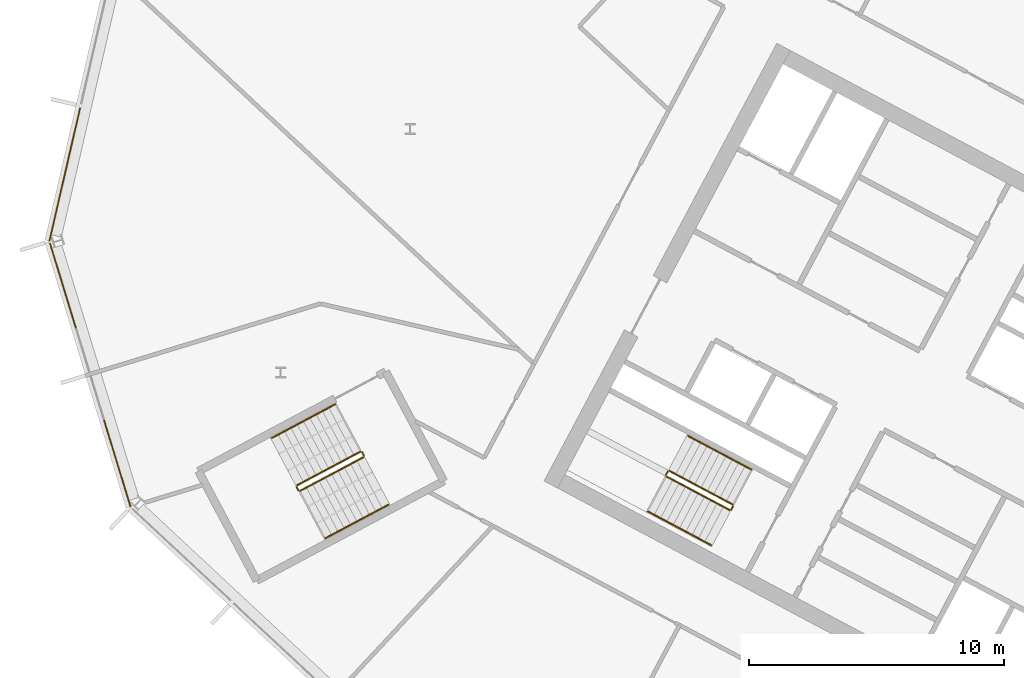
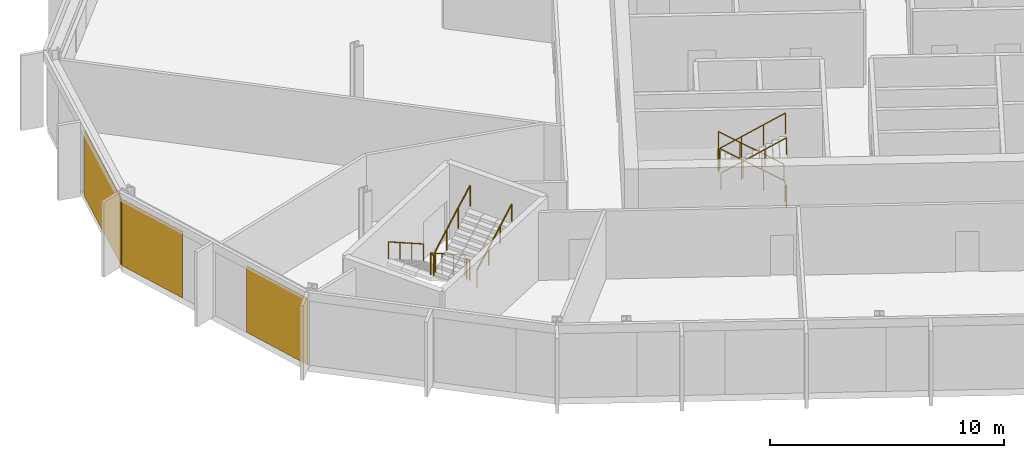
# One storey, part 21 of 27: 12 railings, 3 coverings, 2 elements without a shape of their own.
"""IFC4 building model written with IfcOpenShell, lengths in metres."""

from ifc_helpers import new_model, si_unit, direction, frame, origin, origin_2d, place, context, subcontext, project, spatial, polyline, rectangle, outline, extrude, material, layer, layer_set, type_object, element, aggregate, save


model = new_model("IFC4")

# Units and contexts
model_context = context("Model", 3, precision=1e-05, world=origin(), true_north=direction((0.0, 1.0)))
body_context = subcontext(model_context, "Body", "Model", "MODEL_VIEW")
ifc_project = project(units=[si_unit("LENGTHUNIT", "METRE"), si_unit("AREAUNIT", "SQUARE_METRE"), si_unit("VOLUMEUNIT", "CUBIC_METRE"), si_unit("PLANEANGLEUNIT", "RADIAN"), si_unit("MASSUNIT", "GRAM", prefix="KILO")], contexts=[model_context])

# Site, building, storey
site_placement = place(None, origin())
site = spatial("IfcSite", under=ifc_project, at=site_placement, CompositionType="ELEMENT")
building_placement = place(site_placement, origin())
building = spatial("IfcBuilding", under=site, at=building_placement, Name="Cormorant Relay Tower", CompositionType="ELEMENT")
storey_placement = place(building_placement, frame((0.0, 0.0, 232.5)))
storey = spatial("IfcBuildingStorey", under=building, at=storey_placement, Name="L51", CompositionType="ELEMENT", Elevation=232.5)

# Curtain wall, covering
ifc_material_1 = material(Name="Aluminium 6063-T6 anodised bronze", Category="aluminium")
ifc_layer_1 = layer(ifc_material_1, 0.199951171875)
ifc_layer_set_1 = layer_set([ifc_layer_1], Name="CW1 unitised bronze curtain wall with vertical fins")
curtain_wall_type = type_object("IfcCurtainWallType", Name="CW1 unitised bronze curtain wall with vertical fins", PredefinedType="NOTDEFINED", material=ifc_layer_set_1)
curtain_wall_1_placement = place(storey_placement, origin())
curtain_wall_1 = element("IfcCurtainWall", 1, at=curtain_wall_1_placement, inside=storey, type_object=curtain_wall_type, Name="CW1 curtain wall 13", PredefinedType="NOTDEFINED")
ifc_material_2 = material(Name="Pale bronze anodised aluminium insulated panel", Category="aluminium")
ifc_layer_2 = layer(ifc_material_2, 0.0400390625)
ifc_layer_set_2 = layer_set([ifc_layer_2], Name="CW1 pale bronze insulated panel 40")
covering_type = type_object("IfcCoveringType", Name="CW1 pale bronze insulated panel 40", PredefinedType="CLADDING", material=ifc_layer_set_2)
covering_1_placement = place(storey_placement, frame((-60.136474609375, 23.00927734375, 0.0), z_axis=(0.0, 0.0, 1.0), x_axis=(-0.224951054344, -0.974370064785, 0.0)))
covering_1 = element("IfcCovering", 2, at=covering_1_placement, type_object=covering_type, Name="CW1 panel S02", PredefinedType="CLADDING", context=body_context, shape_type="SweptSolid", body=[
    extrude(rectangle(XDim=5.360107421875, YDim=0.0400390625, at=origin_2d()), origin(), (0.0, 0.0, 1.0), 3.449951171875),
])
aggregate(curtain_wall_1, [covering_1])

# Curtain wall, coverings
curtain_wall_2_placement = place(storey_placement, origin())
curtain_wall_2 = element("IfcCurtainWall", 3, at=curtain_wall_2_placement, inside=storey, type_object=curtain_wall_type, Name="CW1 curtain wall 14", PredefinedType="NOTDEFINED")
covering_2_placement = place(storey_placement, frame((-60.20751953125, 18.6494140625, 0.0), z_axis=(0.0, 0.0, 1.0), x_axis=(0.292371704723, -0.956304755963, 0.0)))
covering_2 = element("IfcCovering", 4, at=covering_2_placement, type_object=covering_type, Name="CW1 panel S00", PredefinedType="CLADDING", context=body_context, shape_type="SweptSolid", body=[
    extrude(rectangle(XDim=3.485107421875, YDim=0.0400390625, at=origin_2d()), origin(), (0.0, 0.0, 1.0), 3.449951171875),
])
covering_3_placement = place(storey_placement, frame((-58.081298828125, 11.6943359375, 0.0), z_axis=(0.0, 0.0, 1.0), x_axis=(0.292371704723, -0.956304755963, 0.0)))
covering_3 = element("IfcCovering", 5, at=covering_3_placement, type_object=covering_type, Name="CW1 panel S03", PredefinedType="CLADDING", context=body_context, shape_type="SweptSolid", body=[
    extrude(rectangle(XDim=3.560302734375, YDim=0.0400390625, at=origin_2d()), origin(), (0.0, 0.0, 1.0), 3.449951171875),
])
aggregate(curtain_wall_2, [covering_2, covering_3])

# Railings
ifc_material_3 = material(Name="Steel ASTM A572 Grade 50 (Fy 345 MPa)", Category="steel")
railing_type_1 = type_object("IfcRailingType", Name="Stair guard 1100", PredefinedType="GUARDRAIL", material=ifc_material_3)
railing_1_placement = place(storey_placement, frame((-33.9921875, 10.08935546875, 0.17724609375)))
element("IfcRailing", 6, at=railing_1_placement, inside=storey, type_object=railing_type_1, Name="L51 A2 stair guard 1", PredefinedType="GUARDRAIL", context=body_context, shape_type="SweptSolid", body=[
    extrude(outline(polyline([(0.022216796875, 0.00927734375), (0.00927734375, 0.022216796875), (-0.00927734375, 0.022216796875), (-0.022216796875, 0.00927734375), (-0.022216796875, -0.00927734375), (-0.00927734375, -0.022216796875), (0.00927734375, -0.022216796875), (0.022216796875, -0.00927734375), (0.022216796875, 0.00927734375)])), frame((0.0, 0.0, 1.076171875), z_axis=(-0.746001213114, 0.396649272309, 0.534931345884), x_axis=(-0.469465464807, -0.882950835185, 0.0)), (0.0, 0.0, 1.0), 3.31396484375),
    extrude(outline(polyline([(0.019287109375, 0.008056640625), (0.008056640625, 0.019287109375), (-0.008056640625, 0.019287109375), (-0.019287109375, 0.008056640625), (-0.019287109375, -0.008056640625), (-0.008056640625, -0.019287109375), (0.008056640625, -0.019287109375), (0.019287109375, -0.008056640625), (0.019287109375, 0.008056640625)])), origin(), (0.0, 0.0, 1.0), 1.052001953125),
    extrude(outline(polyline([(0.019287109375, 0.008056640625), (0.008056640625, 0.019287109375), (-0.008056640625, 0.019287109375), (-0.019287109375, 0.008056640625), (-0.019287109375, -0.008056640625), (-0.008056640625, -0.019287109375), (0.008056640625, -0.019287109375), (0.019287109375, -0.008056640625), (0.019287109375, 0.008056640625)])), frame((-0.823974609375, 0.438232421875, 0.5908203125)), (0.0, 0.0, 1.0), 1.052001953125),
    extrude(outline(polyline([(0.019287109375, 0.008056640625), (0.008056640625, 0.019287109375), (-0.008056640625, 0.019287109375), (-0.019287109375, 0.008056640625), (-0.019287109375, -0.008056640625), (-0.008056640625, -0.019287109375), (0.008056640625, -0.019287109375), (0.019287109375, -0.008056640625), (0.019287109375, 0.008056640625)])), frame((-1.648193359375, 0.876220703125, 1.181884765625)), (0.0, 0.0, 1.0), 1.052001953125),
    extrude(outline(polyline([(0.019287109375, 0.008056640625), (0.008056640625, 0.019287109375), (-0.008056640625, 0.019287109375), (-0.019287109375, 0.008056640625), (-0.019287109375, -0.008056640625), (-0.008056640625, -0.019287109375), (0.008056640625, -0.019287109375), (0.019287109375, -0.008056640625), (0.019287109375, 0.008056640625)])), frame((-2.47216796875, 1.314453125, 1.772705078125)), (0.0, 0.0, 1.0), 1.052001953125),
])
railing_2_placement = place(storey_placement, frame((-36.531982421875, 11.38330078125, 1.949951171875)))
element("IfcRailing", 7, at=railing_2_placement, inside=storey, type_object=railing_type_1, Name="L51 A2 stair guard 2", PredefinedType="GUARDRAIL", context=body_context, shape_type="SweptSolid", body=[
    extrude(outline(polyline([(0.022216796875, 0.00927734375), (0.00927734375, 0.022216796875), (-0.00927734375, 0.022216796875), (-0.022216796875, 0.00927734375), (-0.022216796875, -0.00927734375), (-0.00927734375, -0.022216796875), (0.00927734375, -0.022216796875), (0.022216796875, -0.00927734375), (0.022216796875, 0.00927734375)])), frame((0.0, 0.0, 1.076171875), z_axis=(-0.469828648786, -0.882757634224, 0.0), x_axis=(0.882757634224, -0.469828648786, 0.0)), (0.0, 0.0, 1.0), 0.150146484375),
    extrude(outline(polyline([(0.019287109375, 0.008056640625), (0.008056640625, 0.019287109375), (-0.008056640625, 0.019287109375), (-0.019287109375, 0.008056640625), (-0.019287109375, -0.008056640625), (-0.008056640625, -0.019287109375), (0.008056640625, -0.019287109375), (0.019287109375, -0.008056640625), (0.019287109375, 0.008056640625)])), origin(), (0.0, 0.0, 1.0), 1.052001953125),
    extrude(outline(polyline([(0.019287109375, 0.008056640625), (0.008056640625, 0.019287109375), (-0.008056640625, 0.019287109375), (-0.019287109375, 0.008056640625), (-0.019287109375, -0.008056640625), (-0.008056640625, -0.019287109375), (0.008056640625, -0.019287109375), (0.019287109375, -0.008056640625), (0.019287109375, 0.008056640625)])), frame((-0.070556640625, -0.132568359375, 0.0)), (0.0, 0.0, 1.0), 1.052001953125),
])
railing_3_placement = place(storey_placement, frame((-36.581787109375, 11.18310546875, 2.127197265625)))
element("IfcRailing", 8, at=railing_3_placement, inside=storey, type_object=railing_type_1, Name="L51 A2 stair guard 3", PredefinedType="GUARDRAIL", context=body_context, shape_type="SweptSolid", body=[
    extrude(outline(polyline([(0.022216796875, 0.00927734375), (0.00927734375, 0.022216796875), (-0.00927734375, 0.022216796875), (-0.022216796875, 0.00927734375), (-0.022216796875, -0.00927734375), (-0.00927734375, -0.022216796875), (0.00927734375, -0.022216796875), (0.022216796875, -0.00927734375), (0.022216796875, 0.00927734375)])), frame((0.0, 0.0, 1.076171875), z_axis=(0.746001213114, -0.396649272309, 0.534931345884), x_axis=(0.469465464807, 0.882950835185, 0.0)), (0.0, 0.0, 1.0), 3.31396484375),
    extrude(outline(polyline([(0.019287109375, 0.008056640625), (0.008056640625, 0.019287109375), (-0.008056640625, 0.019287109375), (-0.019287109375, 0.008056640625), (-0.019287109375, -0.008056640625), (-0.008056640625, -0.019287109375), (0.008056640625, -0.019287109375), (0.019287109375, -0.008056640625), (0.019287109375, 0.008056640625)])), origin(), (0.0, 0.0, 1.0), 1.052001953125),
    extrude(outline(polyline([(0.019287109375, 0.008056640625), (0.008056640625, 0.019287109375), (-0.008056640625, 0.019287109375), (-0.019287109375, 0.008056640625), (-0.019287109375, -0.008056640625), (-0.008056640625, -0.019287109375), (0.008056640625, -0.019287109375), (0.019287109375, -0.008056640625), (0.019287109375, 0.008056640625)])), frame((0.823974609375, -0.438232421875, 0.5908203125)), (0.0, 0.0, 1.0), 1.052001953125),
    extrude(outline(polyline([(0.019287109375, 0.008056640625), (0.008056640625, 0.019287109375), (-0.008056640625, 0.019287109375), (-0.019287109375, 0.008056640625), (-0.019287109375, -0.008056640625), (-0.008056640625, -0.019287109375), (0.008056640625, -0.019287109375), (0.019287109375, -0.008056640625), (0.019287109375, 0.008056640625)])), frame((1.648193359375, -0.876220703125, 1.181884765625)), (0.0, 0.0, 1.0), 1.052001953125),
    extrude(outline(polyline([(0.019287109375, 0.008056640625), (0.008056640625, 0.019287109375), (-0.008056640625, 0.019287109375), (-0.019287109375, 0.008056640625), (-0.019287109375, -0.008056640625), (-0.008056640625, -0.019287109375), (0.008056640625, -0.019287109375), (0.019287109375, -0.008056640625), (0.019287109375, 0.008056640625)])), frame((2.47216796875, -1.314453125, 1.772705078125)), (0.0, 0.0, 1.0), 1.052001953125),
])
railing_4_placement = place(storey_placement, frame((-33.971435546875, 10.021728515625, 0.0)))
element("IfcRailing", 9, at=railing_4_placement, inside=storey, type_object=railing_type_1, Name="L51 A2 stair guard 4", PredefinedType="GUARDRAIL", context=body_context, shape_type="SweptSolid", body=[
    extrude(outline(polyline([(0.022216796875, 0.00927734375), (0.00927734375, 0.022216796875), (-0.00927734375, 0.022216796875), (-0.022216796875, 0.00927734375), (-0.022216796875, -0.00927734375), (-0.00927734375, -0.022216796875), (0.00927734375, -0.022216796875), (0.022216796875, -0.00927734375), (0.022216796875, 0.00927734375)])), frame((0.0, 0.0, 1.076171875), z_axis=(-0.470503732759, -0.882398003998, 0.0), x_axis=(0.882398003998, -0.470503732759, 0.0)), (0.0, 0.0, 1.0), 0.14990234375),
    extrude(outline(polyline([(0.019287109375, 0.008056640625), (0.008056640625, 0.019287109375), (-0.008056640625, 0.019287109375), (-0.019287109375, 0.008056640625), (-0.019287109375, -0.008056640625), (-0.008056640625, -0.019287109375), (0.008056640625, -0.019287109375), (0.019287109375, -0.008056640625), (0.019287109375, 0.008056640625)])), origin(), (0.0, 0.0, 1.0), 1.052001953125),
    extrude(outline(polyline([(0.019287109375, 0.008056640625), (0.008056640625, 0.019287109375), (-0.008056640625, 0.019287109375), (-0.019287109375, 0.008056640625), (-0.019287109375, -0.008056640625), (-0.008056640625, -0.019287109375), (0.008056640625, -0.019287109375), (0.019287109375, -0.008056640625), (0.019287109375, 0.008056640625)])), frame((-0.070556640625, -0.13232421875, 0.0)), (0.0, 0.0, 1.0), 1.052001953125),
])
railing_5_placement = place(storey_placement, frame((-48.5693359375, 12.155517578125, 0.17724609375)))
element("IfcRailing", 10, at=railing_5_placement, inside=storey, type_object=railing_type_1, Name="L51 RP1 stair guard 1", PredefinedType="GUARDRAIL", context=body_context, shape_type="SweptSolid", body=[
    extrude(outline(polyline([(0.022216796875, 0.00927734375), (0.00927734375, 0.022216796875), (-0.00927734375, 0.022216796875), (-0.022216796875, 0.00927734375), (-0.022216796875, -0.00927734375), (-0.00927734375, -0.022216796875), (0.00927734375, -0.022216796875), (0.022216796875, -0.00927734375), (0.022216796875, 0.00927734375)])), frame((0.0, 0.0, 1.076171875), z_axis=(-0.746012083385, -0.396689549623, 0.534886317514), x_axis=(0.469497295046, -0.882933910293, 0.0)), (0.0, 0.0, 1.0), 3.314208984375),
    extrude(outline(polyline([(0.019287109375, 0.008056640625), (0.008056640625, 0.019287109375), (-0.008056640625, 0.019287109375), (-0.019287109375, 0.008056640625), (-0.019287109375, -0.008056640625), (-0.008056640625, -0.019287109375), (0.008056640625, -0.019287109375), (0.019287109375, -0.008056640625), (0.019287109375, 0.008056640625)])), origin(), (0.0, 0.0, 1.0), 1.052001953125),
    extrude(outline(polyline([(0.019287109375, 0.008056640625), (0.008056640625, 0.019287109375), (-0.008056640625, 0.019287109375), (-0.019287109375, 0.008056640625), (-0.019287109375, -0.008056640625), (-0.008056640625, -0.019287109375), (0.008056640625, -0.019287109375), (0.019287109375, -0.008056640625), (0.019287109375, 0.008056640625)])), frame((-0.82421875, -0.438232421875, 0.5908203125)), (0.0, 0.0, 1.0), 1.052001953125),
    extrude(outline(polyline([(0.019287109375, 0.008056640625), (0.008056640625, 0.019287109375), (-0.008056640625, 0.019287109375), (-0.019287109375, 0.008056640625), (-0.019287109375, -0.008056640625), (-0.008056640625, -0.019287109375), (0.008056640625, -0.019287109375), (0.019287109375, -0.008056640625), (0.019287109375, 0.008056640625)])), frame((-1.648193359375, -0.87646484375, 1.181884765625)), (0.0, 0.0, 1.0), 1.052001953125),
    extrude(outline(polyline([(0.019287109375, 0.008056640625), (0.008056640625, 0.019287109375), (-0.008056640625, 0.019287109375), (-0.019287109375, 0.008056640625), (-0.019287109375, -0.008056640625), (-0.008056640625, -0.019287109375), (0.008056640625, -0.019287109375), (0.019287109375, -0.008056640625), (0.019287109375, 0.008056640625)])), frame((-2.472412109375, -1.314697265625, 1.772705078125)), (0.0, 0.0, 1.0), 1.052001953125),
])
railing_6_placement = place(storey_placement, frame((-51.062255859375, 10.773193359375, 1.949951171875)))
element("IfcRailing", 11, at=railing_6_placement, inside=storey, type_object=railing_type_1, Name="L51 RP1 stair guard 2", PredefinedType="GUARDRAIL", context=body_context, shape_type="SweptSolid", body=[
    extrude(outline(polyline([(0.022216796875, 0.00927734375), (0.00927734375, 0.022216796875), (-0.00927734375, 0.022216796875), (-0.022216796875, 0.00927734375), (-0.022216796875, -0.00927734375), (-0.00927734375, -0.022216796875), (0.00927734375, -0.022216796875), (0.022216796875, -0.00927734375), (0.022216796875, 0.00927734375)])), frame((0.0, 0.0, 1.076171875), z_axis=(0.469234640946, -0.883073525669, 0.0), x_axis=(0.883073525669, 0.469234640946, 0.0)), (0.0, 0.0, 1.0), 0.14990234375),
    extrude(outline(polyline([(0.019287109375, 0.008056640625), (0.008056640625, 0.019287109375), (-0.008056640625, 0.019287109375), (-0.019287109375, 0.008056640625), (-0.019287109375, -0.008056640625), (-0.008056640625, -0.019287109375), (0.008056640625, -0.019287109375), (0.019287109375, -0.008056640625), (0.019287109375, 0.008056640625)])), origin(), (0.0, 0.0, 1.0), 1.052001953125),
    extrude(outline(polyline([(0.019287109375, 0.008056640625), (0.008056640625, 0.019287109375), (-0.008056640625, 0.019287109375), (-0.019287109375, 0.008056640625), (-0.019287109375, -0.008056640625), (-0.008056640625, -0.019287109375), (0.008056640625, -0.019287109375), (0.019287109375, -0.008056640625), (0.019287109375, 0.008056640625)])), frame((0.0703125, -0.13232421875, 0.0)), (0.0, 0.0, 1.0), 1.052001953125),
])
railing_7_placement = place(storey_placement, frame((-50.92431640625, 10.6201171875, 2.127197265625)))
element("IfcRailing", 12, at=railing_7_placement, inside=storey, type_object=railing_type_1, Name="L51 RP1 stair guard 3", PredefinedType="GUARDRAIL", context=body_context, shape_type="SweptSolid", body=[
    extrude(outline(polyline([(0.022216796875, 0.00927734375), (0.00927734375, 0.022216796875), (-0.00927734375, 0.022216796875), (-0.022216796875, 0.00927734375), (-0.022216796875, -0.00927734375), (-0.00927734375, -0.022216796875), (0.00927734375, -0.022216796875), (0.022216796875, -0.00927734375), (0.022216796875, 0.00927734375)])), frame((0.0, 0.0, 1.076171875), z_axis=(0.746033882577, 0.396627473466, 0.534901947407), x_axis=(-0.469429322983, 0.882970050864, 0.0)), (0.0, 0.0, 1.0), 3.31396484375),
    extrude(outline(polyline([(0.019287109375, 0.008056640625), (0.008056640625, 0.019287109375), (-0.008056640625, 0.019287109375), (-0.019287109375, 0.008056640625), (-0.019287109375, -0.008056640625), (-0.008056640625, -0.019287109375), (0.008056640625, -0.019287109375), (0.019287109375, -0.008056640625), (0.019287109375, 0.008056640625)])), origin(), (0.0, 0.0, 1.0), 1.052001953125),
    extrude(outline(polyline([(0.019287109375, 0.008056640625), (0.008056640625, 0.019287109375), (-0.008056640625, 0.019287109375), (-0.019287109375, 0.008056640625), (-0.019287109375, -0.008056640625), (-0.008056640625, -0.019287109375), (0.008056640625, -0.019287109375), (0.019287109375, -0.008056640625), (0.019287109375, 0.008056640625)])), frame((0.82421875, 0.438232421875, 0.5908203125)), (0.0, 0.0, 1.0), 1.052001953125),
    extrude(outline(polyline([(0.019287109375, 0.008056640625), (0.008056640625, 0.019287109375), (-0.008056640625, 0.019287109375), (-0.019287109375, 0.008056640625), (-0.019287109375, -0.008056640625), (-0.008056640625, -0.019287109375), (0.008056640625, -0.019287109375), (0.019287109375, -0.008056640625), (0.019287109375, 0.008056640625)])), frame((1.648193359375, 0.876220703125, 1.181884765625)), (0.0, 0.0, 1.0), 1.052001953125),
    extrude(outline(polyline([(0.019287109375, 0.008056640625), (0.008056640625, 0.019287109375), (-0.008056640625, 0.019287109375), (-0.019287109375, 0.008056640625), (-0.019287109375, -0.008056640625), (-0.008056640625, -0.019287109375), (0.008056640625, -0.019287109375), (0.019287109375, -0.008056640625), (0.019287109375, 0.008056640625)])), frame((2.472412109375, 1.314453125, 1.772705078125)), (0.0, 0.0, 1.0), 1.052001953125),
])
railing_8_placement = place(storey_placement, frame((-48.501708984375, 12.134765625, 0.0)))
element("IfcRailing", 13, at=railing_8_placement, inside=storey, type_object=railing_type_1, Name="L51 RP1 stair guard 4", PredefinedType="GUARDRAIL", context=body_context, shape_type="SweptSolid", body=[
    extrude(outline(polyline([(0.022216796875, 0.00927734375), (0.00927734375, 0.022216796875), (-0.00927734375, 0.022216796875), (-0.022216796875, 0.00927734375), (-0.022216796875, -0.00927734375), (-0.00927734375, -0.022216796875), (0.00927734375, -0.022216796875), (0.022216796875, -0.00927734375), (0.022216796875, 0.00927734375)])), frame((0.0, 0.0, 1.076171875), z_axis=(0.46856034887, -0.8834314911, 0.0), x_axis=(0.8834314911, 0.46856034887, 0.0)), (0.0, 0.0, 1.0), 0.150146484375),
    extrude(outline(polyline([(0.019287109375, 0.008056640625), (0.008056640625, 0.019287109375), (-0.008056640625, 0.019287109375), (-0.019287109375, 0.008056640625), (-0.019287109375, -0.008056640625), (-0.008056640625, -0.019287109375), (0.008056640625, -0.019287109375), (0.019287109375, -0.008056640625), (0.019287109375, 0.008056640625)])), origin(), (0.0, 0.0, 1.0), 1.052001953125),
    extrude(outline(polyline([(0.019287109375, 0.008056640625), (0.008056640625, 0.019287109375), (-0.008056640625, 0.019287109375), (-0.019287109375, 0.008056640625), (-0.019287109375, -0.008056640625), (-0.008056640625, -0.019287109375), (0.008056640625, -0.019287109375), (0.019287109375, -0.008056640625), (0.019287109375, 0.008056640625)])), frame((0.0703125, -0.132568359375, 0.0)), (0.0, 0.0, 1.0), 1.052001953125),
])
ifc_material_4 = material(Name="Steel ASTM A572 Grade 50 (Fy 345 MPa)", Category="steel")
railing_type_2 = type_object("IfcRailingType", Name="Stair handrail 900", PredefinedType="HANDRAIL", material=ifc_material_4)
railing_9_placement = place(storey_placement, frame((-33.264404296875, 11.4580078125, 0.17724609375)))
element("IfcRailing", 14, at=railing_9_placement, inside=storey, type_object=railing_type_2, Name="L51 A2 stair handrail 1", PredefinedType="HANDRAIL", context=body_context, shape_type="SweptSolid", body=[
    extrude(outline(polyline([(0.022216796875, 0.00927734375), (0.00927734375, 0.022216796875), (-0.00927734375, 0.022216796875), (-0.022216796875, 0.00927734375), (-0.022216796875, -0.00927734375), (-0.00927734375, -0.022216796875), (0.00927734375, -0.022216796875), (0.022216796875, -0.00927734375), (0.022216796875, 0.00927734375)])), frame((0.0, 0.0, 0.8759765625), z_axis=(-0.746033882577, 0.396627473466, 0.534901947407), x_axis=(-0.469429322983, -0.882970050864, 0.0)), (0.0, 0.0, 1.0), 3.31396484375),
    extrude(outline(polyline([(0.019287109375, 0.008056640625), (0.008056640625, 0.019287109375), (-0.008056640625, 0.019287109375), (-0.019287109375, 0.008056640625), (-0.019287109375, -0.008056640625), (-0.008056640625, -0.019287109375), (0.008056640625, -0.019287109375), (0.019287109375, -0.008056640625), (0.019287109375, 0.008056640625)])), origin(), (0.0, 0.0, 1.0), 0.851806640625),
    extrude(outline(polyline([(0.019287109375, 0.008056640625), (0.008056640625, 0.019287109375), (-0.008056640625, 0.019287109375), (-0.019287109375, 0.008056640625), (-0.019287109375, -0.008056640625), (-0.008056640625, -0.019287109375), (0.008056640625, -0.019287109375), (0.019287109375, -0.008056640625), (0.019287109375, 0.008056640625)])), frame((-0.82421875, 0.438232421875, 0.5908203125)), (0.0, 0.0, 1.0), 0.851806640625),
    extrude(outline(polyline([(0.019287109375, 0.008056640625), (0.008056640625, 0.019287109375), (-0.008056640625, 0.019287109375), (-0.019287109375, 0.008056640625), (-0.019287109375, -0.008056640625), (-0.008056640625, -0.019287109375), (0.008056640625, -0.019287109375), (0.019287109375, -0.008056640625), (0.019287109375, 0.008056640625)])), frame((-1.648193359375, 0.876220703125, 1.181884765625)), (0.0, 0.0, 1.0), 0.851806640625),
    extrude(outline(polyline([(0.019287109375, 0.008056640625), (0.008056640625, 0.019287109375), (-0.008056640625, 0.019287109375), (-0.019287109375, 0.008056640625), (-0.019287109375, -0.008056640625), (-0.008056640625, -0.019287109375), (0.008056640625, -0.019287109375), (0.019287109375, -0.008056640625), (0.019287109375, 0.008056640625)])), frame((-2.472412109375, 1.314453125, 1.772705078125)), (0.0, 0.0, 1.0), 0.851806640625),
])
railing_10_placement = place(storey_placement, frame((-37.3095703125, 9.814453125, 2.127197265625)))
element("IfcRailing", 15, at=railing_10_placement, inside=storey, type_object=railing_type_2, Name="L51 A2 stair handrail 2", PredefinedType="HANDRAIL", context=body_context, shape_type="SweptSolid", body=[
    extrude(outline(polyline([(0.022216796875, 0.00927734375), (0.00927734375, 0.022216796875), (-0.00927734375, 0.022216796875), (-0.022216796875, 0.00927734375), (-0.022216796875, -0.00927734375), (-0.00927734375, -0.022216796875), (0.00927734375, -0.022216796875), (0.022216796875, -0.00927734375), (0.022216796875, 0.00927734375)])), frame((0.0, 0.0, 0.8759765625), z_axis=(0.746033882577, -0.396627473466, 0.534901947407), x_axis=(0.469429322983, 0.882970050864, 0.0)), (0.0, 0.0, 1.0), 3.31396484375),
    extrude(outline(polyline([(0.019287109375, 0.008056640625), (0.008056640625, 0.019287109375), (-0.008056640625, 0.019287109375), (-0.019287109375, 0.008056640625), (-0.019287109375, -0.008056640625), (-0.008056640625, -0.019287109375), (0.008056640625, -0.019287109375), (0.019287109375, -0.008056640625), (0.019287109375, 0.008056640625)])), origin(), (0.0, 0.0, 1.0), 0.851806640625),
    extrude(outline(polyline([(0.019287109375, 0.008056640625), (0.008056640625, 0.019287109375), (-0.008056640625, 0.019287109375), (-0.019287109375, 0.008056640625), (-0.019287109375, -0.008056640625), (-0.008056640625, -0.019287109375), (0.008056640625, -0.019287109375), (0.019287109375, -0.008056640625), (0.019287109375, 0.008056640625)])), frame((0.82421875, -0.438232421875, 0.5908203125)), (0.0, 0.0, 1.0), 0.851806640625),
    extrude(outline(polyline([(0.019287109375, 0.008056640625), (0.008056640625, 0.019287109375), (-0.008056640625, 0.019287109375), (-0.019287109375, 0.008056640625), (-0.019287109375, -0.008056640625), (-0.008056640625, -0.019287109375), (0.008056640625, -0.019287109375), (0.019287109375, -0.008056640625), (0.019287109375, 0.008056640625)])), frame((1.648193359375, -0.876220703125, 1.181884765625)), (0.0, 0.0, 1.0), 0.851806640625),
    extrude(outline(polyline([(0.019287109375, 0.008056640625), (0.008056640625, 0.019287109375), (-0.008056640625, 0.019287109375), (-0.019287109375, 0.008056640625), (-0.019287109375, -0.008056640625), (-0.008056640625, -0.019287109375), (0.008056640625, -0.019287109375), (0.019287109375, -0.008056640625), (0.019287109375, 0.008056640625)])), frame((2.472412109375, -1.314453125, 1.772705078125)), (0.0, 0.0, 1.0), 0.851806640625),
])
railing_11_placement = place(storey_placement, frame((-49.55517578125, 14.009521484375, 0.17724609375)))
element("IfcRailing", 16, at=railing_11_placement, inside=storey, type_object=railing_type_2, Name="L51 RP1 stair handrail 1", PredefinedType="HANDRAIL", context=body_context, shape_type="SweptSolid", body=[
    extrude(outline(polyline([(0.022216796875, 0.00927734375), (0.00927734375, 0.022216796875), (-0.00927734375, 0.022216796875), (-0.022216796875, 0.00927734375), (-0.022216796875, -0.00927734375), (-0.00927734375, -0.022216796875), (0.00927734375, -0.022216796875), (0.022216796875, -0.00927734375), (0.022216796875, 0.00927734375)])), frame((0.0, 0.0, 0.8759765625), z_axis=(-0.746033882577, -0.396627473466, 0.534901947407), x_axis=(0.469429322983, -0.882970050864, 0.0)), (0.0, 0.0, 1.0), 3.31396484375),
    extrude(outline(polyline([(0.019287109375, 0.008056640625), (0.008056640625, 0.019287109375), (-0.008056640625, 0.019287109375), (-0.019287109375, 0.008056640625), (-0.019287109375, -0.008056640625), (-0.008056640625, -0.019287109375), (0.008056640625, -0.019287109375), (0.019287109375, -0.008056640625), (0.019287109375, 0.008056640625)])), origin(), (0.0, 0.0, 1.0), 0.851806640625),
    extrude(outline(polyline([(0.019287109375, 0.008056640625), (0.008056640625, 0.019287109375), (-0.008056640625, 0.019287109375), (-0.019287109375, 0.008056640625), (-0.019287109375, -0.008056640625), (-0.008056640625, -0.019287109375), (0.008056640625, -0.019287109375), (0.019287109375, -0.008056640625), (0.019287109375, 0.008056640625)])), frame((-0.82421875, -0.438232421875, 0.5908203125)), (0.0, 0.0, 1.0), 0.851806640625),
    extrude(outline(polyline([(0.019287109375, 0.008056640625), (0.008056640625, 0.019287109375), (-0.008056640625, 0.019287109375), (-0.019287109375, 0.008056640625), (-0.019287109375, -0.008056640625), (-0.008056640625, -0.019287109375), (0.008056640625, -0.019287109375), (0.019287109375, -0.008056640625), (0.019287109375, 0.008056640625)])), frame((-1.648193359375, -0.876220703125, 1.181884765625)), (0.0, 0.0, 1.0), 0.851806640625),
    extrude(outline(polyline([(0.019287109375, 0.008056640625), (0.008056640625, 0.019287109375), (-0.008056640625, 0.019287109375), (-0.019287109375, 0.008056640625), (-0.019287109375, -0.008056640625), (-0.008056640625, -0.019287109375), (0.008056640625, -0.019287109375), (0.019287109375, -0.008056640625), (0.019287109375, 0.008056640625)])), frame((-2.472412109375, -1.314453125, 1.772705078125)), (0.0, 0.0, 1.0), 0.851806640625),
])
railing_12_placement = place(storey_placement, frame((-49.9384765625, 8.765869140625, 2.127197265625)))
element("IfcRailing", 17, at=railing_12_placement, inside=storey, type_object=railing_type_2, Name="L51 RP1 stair handrail 2", PredefinedType="HANDRAIL", context=body_context, shape_type="SweptSolid", body=[
    extrude(outline(polyline([(0.022216796875, 0.00927734375), (0.00927734375, 0.022216796875), (-0.00927734375, 0.022216796875), (-0.022216796875, 0.00927734375), (-0.022216796875, -0.00927734375), (-0.00927734375, -0.022216796875), (0.00927734375, -0.022216796875), (0.022216796875, -0.00927734375), (0.022216796875, 0.00927734375)])), frame((0.0, 0.0, 0.8759765625), z_axis=(0.746012083385, 0.396689549623, 0.534886317514), x_axis=(-0.469497295046, 0.882933910293, 0.0)), (0.0, 0.0, 1.0), 3.314208984375),
    extrude(outline(polyline([(0.019287109375, 0.008056640625), (0.008056640625, 0.019287109375), (-0.008056640625, 0.019287109375), (-0.019287109375, 0.008056640625), (-0.019287109375, -0.008056640625), (-0.008056640625, -0.019287109375), (0.008056640625, -0.019287109375), (0.019287109375, -0.008056640625), (0.019287109375, 0.008056640625)])), origin(), (0.0, 0.0, 1.0), 0.851806640625),
    extrude(outline(polyline([(0.019287109375, 0.008056640625), (0.008056640625, 0.019287109375), (-0.008056640625, 0.019287109375), (-0.019287109375, 0.008056640625), (-0.019287109375, -0.008056640625), (-0.008056640625, -0.019287109375), (0.008056640625, -0.019287109375), (0.019287109375, -0.008056640625), (0.019287109375, 0.008056640625)])), frame((0.82421875, 0.438232421875, 0.5908203125)), (0.0, 0.0, 1.0), 0.851806640625),
    extrude(outline(polyline([(0.019287109375, 0.008056640625), (0.008056640625, 0.019287109375), (-0.008056640625, 0.019287109375), (-0.019287109375, 0.008056640625), (-0.019287109375, -0.008056640625), (-0.008056640625, -0.019287109375), (0.008056640625, -0.019287109375), (0.019287109375, -0.008056640625), (0.019287109375, 0.008056640625)])), frame((1.648193359375, 0.87646484375, 1.181884765625)), (0.0, 0.0, 1.0), 0.851806640625),
    extrude(outline(polyline([(0.019287109375, 0.008056640625), (0.008056640625, 0.019287109375), (-0.008056640625, 0.019287109375), (-0.019287109375, 0.008056640625), (-0.019287109375, -0.008056640625), (-0.008056640625, -0.019287109375), (0.008056640625, -0.019287109375), (0.019287109375, -0.008056640625), (0.019287109375, 0.008056640625)])), frame((2.472412109375, 1.314697265625, 1.772705078125)), (0.0, 0.0, 1.0), 0.851806640625),
])

save(model, "model.ifc")
